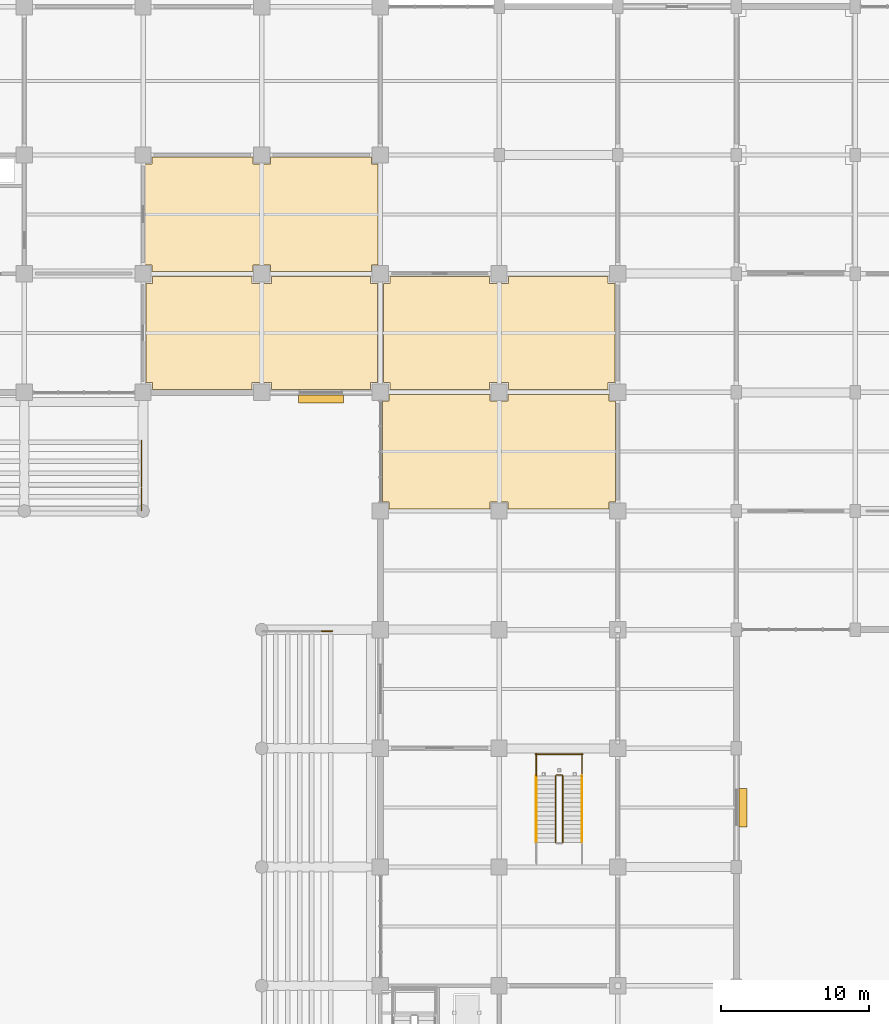
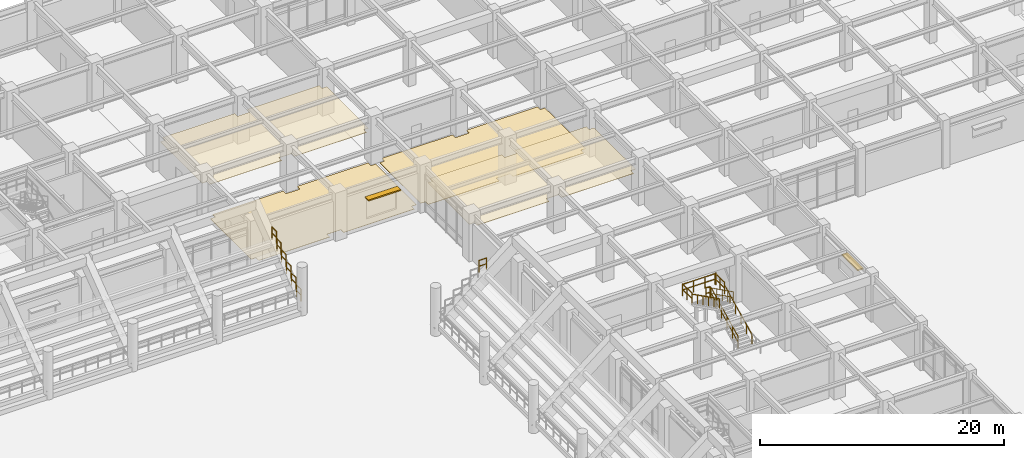
# One storey, part 123 of 125: 15 railings, 4 coverings, 2 shading devices.
"""IFC4 building model written with IfcOpenShell, lengths in metres."""

from ifc_helpers import new_model, si_unit, direction, frame, origin, origin_2d, place, context, subcontext, project, spatial, polyline, rectangle, circle, outline, extrude, material, layer, layer_set, type_object, element, save


model = new_model("IFC4")

# Units and contexts
model_context = context("Model", 3, precision=1e-05, world=origin(), true_north=direction((0.0, 1.0)))
body_context = subcontext(model_context, "Body", "Model", "MODEL_VIEW")
ifc_project = project(units=[si_unit("LENGTHUNIT", "METRE"), si_unit("AREAUNIT", "SQUARE_METRE"), si_unit("VOLUMEUNIT", "CUBIC_METRE"), si_unit("PLANEANGLEUNIT", "RADIAN"), si_unit("MASSUNIT", "GRAM", prefix="KILO")], contexts=[model_context])

# Site, building, storey
site_placement = place(None, origin())
site = spatial("IfcSite", under=ifc_project, at=site_placement, CompositionType="ELEMENT")
building_placement = place(site_placement, origin())
building = spatial("IfcBuilding", under=site, at=building_placement, Name="Haebicheon Civic Stadium", CompositionType="ELEMENT")
storey_placement = place(building_placement, origin())
storey = spatial("IfcBuildingStorey", under=building, at=storey_placement, Name="L01", CompositionType="ELEMENT", Elevation=0.0)

# Coverings
ifc_material_1 = material(Name="Perforated mineral-fibre acoustic board", Category="gypsum")
ifc_layer_1 = layer(ifc_material_1, 0.0400390625, Name="Perforated mineral-fibre acoustic board")
ifc_layer_set_1 = layer_set([ifc_layer_1], Name="Perforated mineral-fibre acoustic board")
covering_type_1 = type_object("IfcCoveringType", Name="COV-CLG-AC", PredefinedType="CEILING", material=ifc_layer_set_1)
covering_1_placement = place(storey_placement, frame((0.0, 0.0, 2.81005859375)))
element("IfcCovering", 1, at=covering_1_placement, inside=storey, type_object=covering_type_1, material=ifc_layer_set_1, Name="L01 Main Spectator Concourse acoustic ceiling", PredefinedType="CEILING", context=body_context, shape_type="SweptSolid", body=[
    extrude(outline(polyline([(128.14501953125, 167.405029296875), (128.594970703125, 167.405029296875), (128.594970703125, 167.85498046875), (135.405029296875, 167.85498046875), (135.405029296875, 167.405029296875), (136.594970703125, 167.405029296875), (136.594970703125, 167.85498046875), (143.405029296875, 167.85498046875), (143.405029296875, 167.405029296875), (143.85498046875, 167.405029296875), (143.85498046875, 160.594970703125), (143.405029296875, 160.594970703125), (143.405029296875, 160.14501953125), (136.594970703125, 160.14501953125), (136.594970703125, 160.594970703125), (135.405029296875, 160.594970703125), (135.405029296875, 160.14501953125), (128.594970703125, 160.14501953125), (128.594970703125, 160.594970703125), (128.14501953125, 160.594970703125), (128.14501953125, 167.405029296875)])), origin(), (0.0, 0.0, 1.0), 0.0400390625),
])
covering_2_placement = place(storey_placement, frame((0.0, 0.0, 2.81005859375)))
element("IfcCovering", 2, at=covering_2_placement, inside=storey, type_object=covering_type_1, material=ifc_layer_set_1, Name="L01 Main Spectator Concourse acoustic ceiling", PredefinedType="CEILING", context=body_context, shape_type="SweptSolid", body=[
    extrude(outline(polyline([(144.14501953125, 151.405029296875), (144.594970703125, 151.405029296875), (144.594970703125, 151.85498046875), (151.405029296875, 151.85498046875), (151.405029296875, 151.405029296875), (152.594970703125, 151.405029296875), (152.594970703125, 151.85498046875), (159.405029296875, 151.85498046875), (159.405029296875, 151.405029296875), (159.85498046875, 151.405029296875), (159.85498046875, 144.594970703125), (159.405029296875, 144.594970703125), (159.405029296875, 144.14501953125), (152.594970703125, 144.14501953125), (152.594970703125, 144.594970703125), (151.405029296875, 144.594970703125), (151.405029296875, 144.14501953125), (144.594970703125, 144.14501953125), (144.594970703125, 144.594970703125), (144.14501953125, 144.594970703125), (144.14501953125, 151.405029296875)])), origin(), (0.0, 0.0, 1.0), 0.0400390625),
])
ifc_material_2 = material(Name="Quartz epoxy resin mortar", Category="concrete")
ifc_layer_2 = layer(ifc_material_2, 0.030029296875, Name="Quartz epoxy resin mortar")
ifc_layer_set_2 = layer_set([ifc_layer_2], Name="Quartz epoxy resin mortar")
covering_type_2 = type_object("IfcCoveringType", Name="COV-FLR-EPX", PredefinedType="FLOORING", material=ifc_layer_set_2)
covering_3_placement = place(storey_placement, origin())
element("IfcCovering", 3, at=covering_3_placement, inside=storey, type_object=covering_type_2, material=ifc_layer_set_2, Name="L01 Food and Beverage Kiosk non-slip floor finish", PredefinedType="FLOORING", context=body_context, shape_type="SweptSolid", body=[
    extrude(outline(polyline([(128.199951171875, 159.35009765625), (128.64990234375, 159.35009765625), (128.64990234375, 159.800048828125), (135.35009765625, 159.800048828125), (135.35009765625, 159.35009765625), (136.64990234375, 159.35009765625), (136.64990234375, 159.800048828125), (143.35009765625, 159.800048828125), (143.35009765625, 159.35009765625), (143.800048828125, 159.35009765625), (143.800048828125, 152.64990234375), (143.35009765625, 152.64990234375), (143.35009765625, 152.199951171875), (136.64990234375, 152.199951171875), (136.64990234375, 152.64990234375), (135.35009765625, 152.64990234375), (135.35009765625, 152.199951171875), (128.64990234375, 152.199951171875), (128.64990234375, 152.64990234375), (128.199951171875, 152.64990234375), (128.199951171875, 159.35009765625)])), origin(), (0.0, 0.0, 1.0), 0.030029296875),
])
covering_4_placement = place(storey_placement, origin())
element("IfcCovering", 4, at=covering_4_placement, inside=storey, type_object=covering_type_2, material=ifc_layer_set_2, Name="L01 Main Spectator Concourse non-slip floor finish", PredefinedType="FLOORING", context=body_context, shape_type="SweptSolid", body=[
    extrude(outline(polyline([(144.199951171875, 159.35009765625), (144.64990234375, 159.35009765625), (144.64990234375, 159.800048828125), (151.35009765625, 159.800048828125), (151.35009765625, 159.35009765625), (152.64990234375, 159.35009765625), (152.64990234375, 159.800048828125), (159.35009765625, 159.800048828125), (159.35009765625, 159.35009765625), (159.800048828125, 159.35009765625), (159.800048828125, 152.64990234375), (159.35009765625, 152.64990234375), (159.35009765625, 152.199951171875), (152.64990234375, 152.199951171875), (152.64990234375, 152.64990234375), (151.35009765625, 152.64990234375), (151.35009765625, 152.199951171875), (144.64990234375, 152.199951171875), (144.64990234375, 152.64990234375), (144.199951171875, 152.64990234375), (144.199951171875, 159.35009765625)])), origin(), (0.0, 0.0, 1.0), 0.030029296875),
])

# Railings
ifc_material_3 = material(Name="Stainless steel 316 and laminated glass", Category="steel")
railing_type_1 = type_object("IfcRailingType", Name="RL-BAL-1200", PredefinedType="BALUSTRADE", material=ifc_material_3)
railing_1_placement = place(storey_placement, frame((140.0400390625, 135.89990234375, 4.756103515625)))
element("IfcRailing", 5, at=railing_1_placement, inside=storey, type_object=railing_type_1, material=ifc_material_3, Name="TIER-E-L end-aisle side guard N.6", PredefinedType="BALUSTRADE", context=body_context, shape_type="SweptSolid", body=[
    extrude(circle(Radius=0.02392578125, at=origin_2d()), frame((0.0, 0.0, 1.17578125), z_axis=(1.0, 0.0, 0.0), x_axis=(0.0, 1.0, 0.0)), (0.0, 0.0, 1.0), 0.719970703125),
    extrude(circle(Radius=0.02392578125, at=origin_2d()), frame((0.0, 0.0, 0.60009765625), z_axis=(1.0, 0.0, 0.0), x_axis=(0.0, 1.0, 0.0)), (0.0, 0.0, 1.0), 0.719970703125),
    extrude(circle(Radius=0.02099609375, at=origin_2d()), origin(), (0.0, 0.0, 1.0), 1.15185546875),
    extrude(circle(Radius=0.02099609375, at=origin_2d()), frame((0.719970703125, 0.0, 0.0)), (0.0, 0.0, 1.0), 1.15185546875),
])
for number, where, name in (
    (6, (127.89990234375, 144.0400390625, 1.199951171875), "TIER-N-L end-aisle side guard E.1"),
    (7, (127.89990234375, 144.840087890625, 1.866943359375), "TIER-N-L end-aisle side guard E.2"),
):
    element("IfcRailing", number, at=place(storey_placement, frame(where)), inside=storey, type_object=railing_type_1, material=ifc_material_3, Name=name, PredefinedType="BALUSTRADE", context=body_context, shape_type="SweptSolid", body=[
        extrude(circle(Radius=0.02392578125, at=origin_2d()), frame((0.0, 0.0, 1.17578125), z_axis=(0.0, 1.0, 0.0), x_axis=(-1.0, 0.0, 0.0)), (0.0, 0.0, 1.0), 0.719970703125),
        extrude(circle(Radius=0.02392578125, at=origin_2d()), frame((0.0, 0.0, 0.60009765625), z_axis=(0.0, 1.0, 0.0), x_axis=(-1.0, 0.0, 0.0)), (0.0, 0.0, 1.0), 0.719970703125),
        extrude(circle(Radius=0.02099609375, at=origin_2d()), origin(), (0.0, 0.0, 1.0), 1.15185546875),
        extrude(circle(Radius=0.02099609375, at=origin_2d()), frame((0.0, 0.719970703125, 0.0)), (0.0, 0.0, 1.0), 1.15185546875),
    ])
railing_2_placement = place(storey_placement, frame((127.89990234375, 145.639892578125, 2.532958984375)))
element("IfcRailing", 8, at=railing_2_placement, inside=storey, type_object=railing_type_1, material=ifc_material_3, Name="TIER-N-L end-aisle side guard E.3", PredefinedType="BALUSTRADE", context=body_context, shape_type="SweptSolid", body=[
    extrude(circle(Radius=0.02392578125, at=origin_2d()), frame((0.0, 0.0, 1.17578125), z_axis=(0.0, 1.0, 0.0), x_axis=(-1.0, 0.0, 0.0)), (0.0, 0.0, 1.0), 0.72021484375),
    extrude(circle(Radius=0.02392578125, at=origin_2d()), frame((0.0, 0.0, 0.60009765625), z_axis=(0.0, 1.0, 0.0), x_axis=(-1.0, 0.0, 0.0)), (0.0, 0.0, 1.0), 0.72021484375),
    extrude(circle(Radius=0.02099609375, at=origin_2d()), origin(), (0.0, 0.0, 1.0), 1.15185546875),
    extrude(circle(Radius=0.02099609375, at=origin_2d()), frame((0.0, 0.72021484375, 0.0)), (0.0, 0.0, 1.0), 1.15185546875),
])
for number, where, name in (
    (9, (127.89990234375, 146.43994140625, 3.199951171875), "TIER-N-L end-aisle side guard E.4"),
    (10, (127.89990234375, 147.239990234375, 3.866943359375), "TIER-N-L end-aisle side guard E.5"),
    (11, (127.89990234375, 148.0400390625, 4.532958984375), "TIER-N-L end-aisle side guard E.6"),
):
    element("IfcRailing", number, at=place(storey_placement, frame(where)), inside=storey, type_object=railing_type_1, material=ifc_material_3, Name=name, PredefinedType="BALUSTRADE", context=body_context, shape_type="SweptSolid", body=[
        extrude(circle(Radius=0.02392578125, at=origin_2d()), frame((0.0, 0.0, 1.17578125), z_axis=(0.0, 1.0, 0.0), x_axis=(-1.0, 0.0, 0.0)), (0.0, 0.0, 1.0), 0.719970703125),
        extrude(circle(Radius=0.02392578125, at=origin_2d()), frame((0.0, 0.0, 0.60009765625), z_axis=(0.0, 1.0, 0.0), x_axis=(-1.0, 0.0, 0.0)), (0.0, 0.0, 1.0), 0.719970703125),
        extrude(circle(Radius=0.02099609375, at=origin_2d()), origin(), (0.0, 0.0, 1.0), 1.15185546875),
        extrude(circle(Radius=0.02099609375, at=origin_2d()), frame((0.0, 0.719970703125, 0.0)), (0.0, 0.0, 1.0), 1.15185546875),
    ])
ifc_material_4 = material(Name="Galvanised painted steel SM355", Category="steel")
railing_type_2 = type_object("IfcRailingType", Name="RL-GRD-1150", PredefinedType="GUARDRAIL", material=ifc_material_4)
railing_3_placement = place(storey_placement, frame((156.2900390625, 121.64990234375, 0.14990234375)))
element("IfcRailing", 12, at=railing_3_placement, inside=storey, type_object=railing_type_2, material=ifc_material_4, Name="L01 VM-08 stair guard 1", PredefinedType="GUARDRAIL", context=body_context, shape_type="SweptSolid", body=[
    extrude(circle(Radius=0.02392578125, at=origin_2d()), frame((0.0, 0.0, 1.1259765625), z_axis=(0.0, 0.894427191, 0.4472135955), x_axis=(-1.0, 0.0, 0.0)), (0.0, 0.0, 1.0), 5.03125),
    extrude(circle(Radius=0.02392578125, at=origin_2d()), frame((0.0, 0.0, 0.574951171875), z_axis=(0.0, 0.894427191, 0.4472135955), x_axis=(-1.0, 0.0, 0.0)), (0.0, 0.0, 1.0), 5.03125),
    extrude(circle(Radius=0.02099609375, at=origin_2d()), origin(), (0.0, 0.0, 1.0), 1.101806640625),
    extrude(circle(Radius=0.02099609375, at=origin_2d()), frame((0.0, 0.89990234375, 0.449951171875)), (0.0, 0.0, 1.0), 1.101806640625),
    extrude(circle(Radius=0.02099609375, at=origin_2d()), frame((0.0, 1.800048828125, 0.89990234375)), (0.0, 0.0, 1.0), 1.101806640625),
    extrude(circle(Radius=0.02099609375, at=origin_2d()), frame((0.0, 2.699951171875, 1.35009765625)), (0.0, 0.0, 1.0), 1.101806640625),
    extrude(circle(Radius=0.02099609375, at=origin_2d()), frame((0.0, 3.60009765625, 1.800048828125)), (0.0, 0.0, 1.0), 1.101806640625),
    extrude(circle(Radius=0.02099609375, at=origin_2d()), frame((0.0, 4.5, 2.25)), (0.0, 0.0, 1.0), 1.101806640625),
])
railing_4_placement = place(storey_placement, frame((156.239990234375, 126.199951171875, 2.39990234375)))
element("IfcRailing", 13, at=railing_4_placement, inside=storey, type_object=railing_type_2, material=ifc_material_4, Name="L01 VM-08 stair guard 2", PredefinedType="GUARDRAIL", context=body_context, shape_type="SweptSolid", body=[
    extrude(circle(Radius=0.02392578125, at=origin_2d()), frame((0.0, 0.0, 1.1259765625), z_axis=(-1.0, 0.0, 0.0), x_axis=(0.0, -1.0, 0.0)), (0.0, 0.0, 1.0), 0.3798828125),
    extrude(circle(Radius=0.02392578125, at=origin_2d()), frame((0.0, 0.0, 0.574951171875), z_axis=(-1.0, 0.0, 0.0), x_axis=(0.0, -1.0, 0.0)), (0.0, 0.0, 1.0), 0.3798828125),
    extrude(circle(Radius=0.02099609375, at=origin_2d()), origin(), (0.0, 0.0, 1.0), 1.101806640625),
    extrude(circle(Radius=0.02099609375, at=origin_2d()), frame((-0.3798828125, 0.0, 0.0)), (0.0, 0.0, 1.0), 1.101806640625),
])
for number, where, name in (
    (14, (157.590087890625, 126.14990234375, 2.39990234375), "L01 VM-08 stair guard 3"),
    (15, (154.510009765625, 126.14990234375, 2.39990234375), "L01 VM-08 stair guard 4"),
):
    element("IfcRailing", number, at=place(storey_placement, frame(where)), inside=storey, type_object=railing_type_2, material=ifc_material_4, Name=name, PredefinedType="GUARDRAIL", context=body_context, shape_type="SweptSolid", body=[
        extrude(circle(Radius=0.02392578125, at=origin_2d()), frame((0.0, 0.0, 1.1259765625), z_axis=(0.0, 1.0, 0.0), x_axis=(-1.0, 0.0, 0.0)), (0.0, 0.0, 1.0), 1.5),
        extrude(circle(Radius=0.02392578125, at=origin_2d()), frame((0.0, 0.0, 0.574951171875), z_axis=(0.0, 1.0, 0.0), x_axis=(-1.0, 0.0, 0.0)), (0.0, 0.0, 1.0), 1.5),
        extrude(circle(Radius=0.02099609375, at=origin_2d()), origin(), (0.0, 0.0, 1.0), 1.101806640625),
        extrude(circle(Radius=0.02099609375, at=origin_2d()), frame((0.0, 0.75, 0.0)), (0.0, 0.0, 1.0), 1.101806640625),
        extrude(circle(Radius=0.02099609375, at=origin_2d()), frame((0.0, 1.5, 0.0)), (0.0, 0.0, 1.0), 1.101806640625),
    ])
railing_5_placement = place(storey_placement, frame((157.639892578125, 127.60009765625, 2.39990234375)))
element("IfcRailing", 16, at=railing_5_placement, inside=storey, type_object=railing_type_2, material=ifc_material_4, Name="L01 VM-08 stair guard 5", PredefinedType="GUARDRAIL", context=body_context, shape_type="SweptSolid", body=[
    extrude(circle(Radius=0.02392578125, at=origin_2d()), frame((0.0, 0.0, 1.1259765625), z_axis=(-1.0, 0.0, 0.0), x_axis=(0.0, -1.0, 0.0)), (0.0, 0.0, 1.0), 3.179931640625),
    extrude(circle(Radius=0.02392578125, at=origin_2d()), frame((0.0, 0.0, 0.574951171875), z_axis=(-1.0, 0.0, 0.0), x_axis=(0.0, -1.0, 0.0)), (0.0, 0.0, 1.0), 3.179931640625),
    extrude(circle(Radius=0.02099609375, at=origin_2d()), origin(), (0.0, 0.0, 1.0), 1.101806640625),
    extrude(circle(Radius=0.02099609375, at=origin_2d()), frame((-1.06005859375, 0.0, 0.0)), (0.0, 0.0, 1.0), 1.101806640625),
    extrude(circle(Radius=0.02099609375, at=origin_2d()), frame((-2.119873046875, 0.0, 0.0)), (0.0, 0.0, 1.0), 1.101806640625),
    extrude(circle(Radius=0.02099609375, at=origin_2d()), frame((-3.179931640625, 0.0, 0.0)), (0.0, 0.0, 1.0), 1.101806640625),
])
railing_6_placement = place(storey_placement, frame((155.81005859375, 126.14990234375, 2.550048828125)))
element("IfcRailing", 17, at=railing_6_placement, inside=storey, type_object=railing_type_2, material=ifc_material_4, Name="L01 VM-08 stair guard 6", PredefinedType="GUARDRAIL", context=body_context, shape_type="SweptSolid", body=[
    extrude(circle(Radius=0.02392578125, at=origin_2d()), frame((0.0, 0.0, 1.1259765625), z_axis=(0.0, -0.894427191, 0.4472135955), x_axis=(1.0, 0.0, 0.0)), (0.0, 0.0, 1.0), 5.03125),
    extrude(circle(Radius=0.02392578125, at=origin_2d()), frame((0.0, 0.0, 0.574951171875), z_axis=(0.0, -0.894427191, 0.4472135955), x_axis=(1.0, 0.0, 0.0)), (0.0, 0.0, 1.0), 5.03125),
    extrude(circle(Radius=0.02099609375, at=origin_2d()), origin(), (0.0, 0.0, 1.0), 1.101806640625),
    extrude(circle(Radius=0.02099609375, at=origin_2d()), frame((0.0, -0.89990234375, 0.449951171875)), (0.0, 0.0, 1.0), 1.101806640625),
    extrude(circle(Radius=0.02099609375, at=origin_2d()), frame((0.0, -1.800048828125, 0.89990234375)), (0.0, 0.0, 1.0), 1.101806640625),
    extrude(circle(Radius=0.02099609375, at=origin_2d()), frame((0.0, -2.699951171875, 1.35009765625)), (0.0, 0.0, 1.0), 1.101806640625),
    extrude(circle(Radius=0.02099609375, at=origin_2d()), frame((0.0, -3.60009765625, 1.800048828125)), (0.0, 0.0, 1.0), 1.101806640625),
    extrude(circle(Radius=0.02099609375, at=origin_2d()), frame((0.0, -4.5, 2.25)), (0.0, 0.0, 1.0), 1.101806640625),
])
ifc_material_5 = material(Name="Stainless steel 316", Category="steel")
railing_type_3 = type_object("IfcRailingType", Name="RL-HND-900", PredefinedType="HANDRAIL", material=ifc_material_5)
railing_7_placement = place(storey_placement, frame((157.590087890625, 121.64990234375, 0.14990234375)))
element("IfcRailing", 18, at=railing_7_placement, inside=storey, type_object=railing_type_3, material=ifc_material_5, Name="L01 VM-08 stair handrail 1", PredefinedType="HANDRAIL", context=body_context, shape_type="SweptSolid", body=[
    extrude(circle(Radius=0.02392578125, at=origin_2d()), frame((0.0, 0.0, 0.8759765625), z_axis=(0.0, 0.894427191, 0.4472135955), x_axis=(-1.0, 0.0, 0.0)), (0.0, 0.0, 1.0), 5.03125),
    extrude(circle(Radius=0.02099609375, at=origin_2d()), origin(), (0.0, 0.0, 1.0), 0.851806640625),
    extrude(circle(Radius=0.02099609375, at=origin_2d()), frame((0.0, 0.89990234375, 0.449951171875)), (0.0, 0.0, 1.0), 0.851806640625),
    extrude(circle(Radius=0.02099609375, at=origin_2d()), frame((0.0, 1.800048828125, 0.89990234375)), (0.0, 0.0, 1.0), 0.851806640625),
    extrude(circle(Radius=0.02099609375, at=origin_2d()), frame((0.0, 2.699951171875, 1.35009765625)), (0.0, 0.0, 1.0), 0.851806640625),
    extrude(circle(Radius=0.02099609375, at=origin_2d()), frame((0.0, 3.60009765625, 1.800048828125)), (0.0, 0.0, 1.0), 0.851806640625),
    extrude(circle(Radius=0.02099609375, at=origin_2d()), frame((0.0, 4.5, 2.25)), (0.0, 0.0, 1.0), 0.851806640625),
])
railing_8_placement = place(storey_placement, frame((154.510009765625, 126.14990234375, 2.550048828125)))
element("IfcRailing", 19, at=railing_8_placement, inside=storey, type_object=railing_type_3, material=ifc_material_5, Name="L01 VM-08 stair handrail 2", PredefinedType="HANDRAIL", context=body_context, shape_type="SweptSolid", body=[
    extrude(circle(Radius=0.02392578125, at=origin_2d()), frame((0.0, 0.0, 0.8759765625), z_axis=(0.0, -0.894427191, 0.4472135955), x_axis=(1.0, 0.0, 0.0)), (0.0, 0.0, 1.0), 5.03125),
    extrude(circle(Radius=0.02099609375, at=origin_2d()), origin(), (0.0, 0.0, 1.0), 0.851806640625),
    extrude(circle(Radius=0.02099609375, at=origin_2d()), frame((0.0, -0.89990234375, 0.449951171875)), (0.0, 0.0, 1.0), 0.851806640625),
    extrude(circle(Radius=0.02099609375, at=origin_2d()), frame((0.0, -1.800048828125, 0.89990234375)), (0.0, 0.0, 1.0), 0.851806640625),
    extrude(circle(Radius=0.02099609375, at=origin_2d()), frame((0.0, -2.699951171875, 1.35009765625)), (0.0, 0.0, 1.0), 0.851806640625),
    extrude(circle(Radius=0.02099609375, at=origin_2d()), frame((0.0, -3.60009765625, 1.800048828125)), (0.0, 0.0, 1.0), 0.851806640625),
    extrude(circle(Radius=0.02099609375, at=origin_2d()), frame((0.0, -4.5, 2.25)), (0.0, 0.0, 1.0), 0.851806640625),
])

# Shading devices
ifc_material_6 = material(Name="Anodised aluminium 6063-T6", Category="aluminium")
ifc_layer_3 = layer(ifc_material_6, 0.1201171875, Name="Anodised aluminium 6063-T6")
ifc_layer_set_3 = layer_set([ifc_layer_3], Name="Anodised aluminium 6063-T6")
shading_device_type = type_object("IfcShadingDeviceType", Name="SHD-ALU-LVR", PredefinedType="USERDEFINED", material=ifc_layer_set_3)
shading_device_1_placement = place(storey_placement, frame((140.0, 151.544921875, 3.06982421875), z_axis=(0.0, 0.0, 1.0), x_axis=(1.0, 0.0, 0.0)))
element("IfcShadingDevice", 20, at=shading_device_1_placement, inside=storey, type_object=shading_device_type, material=ifc_layer_set_3, Name="L01 window sunshade louvre hood 06", ObjectType="LOUVRE", PredefinedType="USERDEFINED", context=body_context, shape_type="SweptSolid", body=[
    extrude(rectangle(XDim=3.050048828125, YDim=0.550048828125, at=origin_2d()), origin(), (0.0, 0.0, 1.0), 0.1201171875),
])
shading_device_2_placement = place(storey_placement, frame((168.455078125, 124.0, 3.02001953125), z_axis=(0.0, 0.0, 1.0), x_axis=(1.0, 0.0, 0.0)))
element("IfcShadingDevice", 21, at=shading_device_2_placement, inside=storey, type_object=shading_device_type, material=ifc_layer_set_3, Name="L01 window sunshade louvre hood 08", ObjectType="LOUVRE", PredefinedType="USERDEFINED", context=body_context, shape_type="SweptSolid", body=[
    extrude(rectangle(XDim=0.550048828125, YDim=2.60009765625, at=origin_2d()), origin(), (0.0, 0.0, 1.0), 0.1201171875),
])

save(model, "model.ifc")
